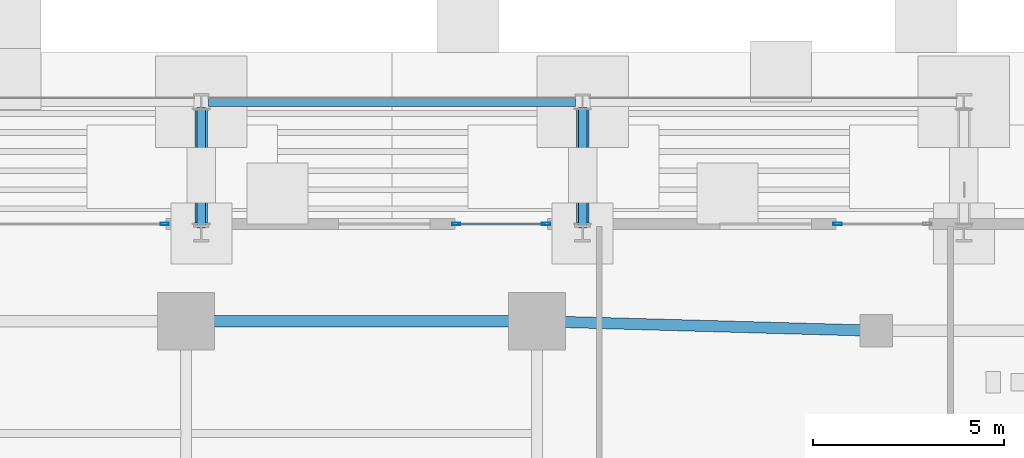
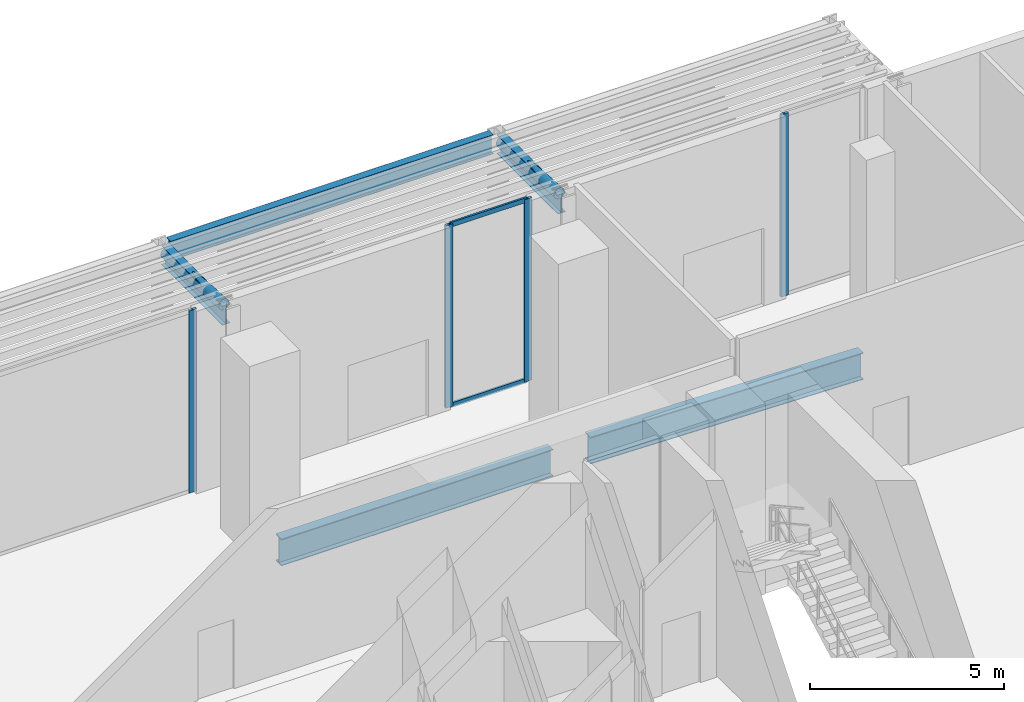
# One storey, part 20 of 39: 8 members, 5 beams, 3 elements without a shape of their own.
"""IFC4 building model written with IfcOpenShell, lengths in metres."""

from ifc_helpers import new_model, si_unit, direction, frame, origin, origin_2d, place, context, subcontext, project, spatial, hollow_rectangle, hollow_circle, i_section, extrude, material, layer, layer_set, material_profile, profile_set, type_object, element, aggregate, save


model = new_model("IFC4")

# Units and contexts
model_context = context("Model", 3, precision=1e-05, world=origin(), true_north=direction((0.0, 1.0)))
body_context = subcontext(model_context, "Body", "Model", "MODEL_VIEW")
ifc_project = project(units=[si_unit("LENGTHUNIT", "METRE"), si_unit("AREAUNIT", "SQUARE_METRE"), si_unit("VOLUMEUNIT", "CUBIC_METRE"), si_unit("PLANEANGLEUNIT", "RADIAN"), si_unit("MASSUNIT", "GRAM", prefix="KILO")], contexts=[model_context])

# Site, building, storey
site_placement = place(None, origin())
site = spatial("IfcSite", under=ifc_project, at=site_placement, CompositionType="ELEMENT")
building_placement = place(site_placement, origin())
building = spatial("IfcBuilding", under=site, at=building_placement, Name="Zuhayl Quay Hotel", CompositionType="ELEMENT")
storey_placement = place(building_placement, origin())
storey = spatial("IfcBuildingStorey", under=building, at=storey_placement, Name="L00", CompositionType="ELEMENT", Elevation=0.0)

# Beams
ifc_material_1 = material(Name="Steel ASTM A992 Grade 50", Category="steel")
ifc_material_profile_1 = material_profile(ifc_material_1, i_section(OverallWidth=0.22802734375, OverallDepth=0.60693359375, WebThickness=0.01123046875, FlangeThickness=0.017333984375, at=origin_2d()), Name="W24X76")
ifc_profile_set_1 = profile_set([ifc_material_profile_1], Name="Steel ASTM A992 Grade 50")
beam_type_1 = type_object("IfcBeamType", Name="BM_B3_W24X76", PredefinedType="BEAM", material=ifc_profile_set_1)
beam_1_placement = place(storey_placement, frame((5.18994140625, 28.199951171875, 5.300048828125), z_axis=(1.0, 0.0, 0.0), x_axis=(0.0, 1.0, 0.0)))
element("IfcBeam", 1, at=beam_1_placement, inside=storey, type_object=beam_type_1, Name="Waterfront Colonnade Canopy Girder 4", PredefinedType="BEAM", context=body_context, shape_type="SweptSolid", body=[
    extrude(i_section(OverallWidth=0.22802734375, OverallDepth=0.60693359375, WebThickness=0.01123046875, FlangeThickness=0.017333984375, at=origin_2d()), origin(), (0.0, 0.0, 1.0), 9.6201171875),
])
for number, where, z_axis, x_axis, name in (
    (2, (5.0, 24.89990234375, 5.300048828125), (0.0, 1.0, 0.0), (-1.0, 0.0, 0.0), "Waterfront Canopy Cantilever Tie 4"),
    (3, (15.0, 24.89990234375, 5.300048828125), (0.0, 1.0, 0.0), (-1.0, 0.0, 0.0), "Waterfront Canopy Cantilever Tie 5"),
):
    element("IfcBeam", number, at=place(storey_placement, frame(where, z_axis=z_axis, x_axis=x_axis)), inside=storey, type_object=beam_type_1, Name=name, PredefinedType="BEAM", context=body_context, shape_type="SweptSolid", body=[
        extrude(i_section(OverallWidth=0.22802734375, OverallDepth=0.60693359375, WebThickness=0.01123046875, FlangeThickness=0.017333984375, at=origin_2d()), origin(), (0.0, 0.0, 1.0), 3.150146484375),
    ])
ifc_material_profile_2 = material_profile(ifc_material_1, i_section(OverallWidth=0.2919921875, OverallDepth=0.845947265625, WebThickness=0.015380859375, FlangeThickness=0.0244140625, at=origin_2d()), Name="W33X141")
ifc_profile_set_2 = profile_set([ifc_material_profile_2], Name="Steel ASTM A992 Grade 50")
beam_type_2 = type_object("IfcBeamType", Name="BM_PG3_W33X141", PredefinedType="BEAM", material=ifc_profile_set_2)
beam_2_placement = place(storey_placement, frame((5.14990234375, 22.449951171875, -0.68310546875), z_axis=(1.0, 0.0, 0.0), x_axis=(0.0, 1.0, 0.0)))
element("IfcBeam", 4, at=beam_2_placement, inside=storey, type_object=beam_type_2, Name="L00 Floor Beam PG_N_L00_4", PredefinedType="BEAM", context=body_context, shape_type="SweptSolid", body=[
    extrude(i_section(OverallWidth=0.2919921875, OverallDepth=0.845947265625, WebThickness=0.015380859375, FlangeThickness=0.0244140625, at=origin_2d()), origin(), (0.0, 0.0, 1.0), 8.10009765625),
])
beam_3_placement = place(storey_placement, frame((14.349853515625, 22.4345703125, -0.68310546875), z_axis=(0.99960539529, -0.028090099801, 0.0), x_axis=(0.028090099801, 0.99960539529, 0.0)))
element("IfcBeam", 5, at=beam_3_placement, inside=storey, type_object=beam_type_2, Name="L00 Floor Beam PG_N_L00_5", PredefinedType="BEAM", context=body_context, shape_type="SweptSolid", body=[
    extrude(i_section(OverallWidth=0.2919921875, OverallDepth=0.845947265625, WebThickness=0.015380859375, FlangeThickness=0.0244140625, at=origin_2d()), origin(), (0.0, 0.0, 1.0), 8.013427734375),
])

# Members
ifc_material_2 = material(Name="Steel ASTM A500 Grade C", Category="steel")
ifc_material_profile_3 = material_profile(ifc_material_2, hollow_circle(Radius=0.161865234375, WallThickness=0.012451171875, at=origin_2d()), Name="CHS324X12")
ifc_profile_set_3 = profile_set([ifc_material_profile_3], Name="Steel ASTM A500 Grade C")
member_type_1 = type_object("IfcMemberType", Name="MB_CN_CHS324", PredefinedType="STRUT", material=ifc_profile_set_3)
for number, where, z_axis, x_axis, name in (
    (6, (5.0, 25.02001953125, 5.550048828125), (0.0, 0.997771438089, -0.066724488266), (-1.0, 0.0, 0.0), "Waterfront Canopy Diagonal Hanger Strut 4"),
    (7, (15.0, 25.02001953125, 5.550048828125), (0.0, 0.997771438089, -0.066724488266), (-1.0, 0.0, 0.0), "Waterfront Canopy Diagonal Hanger Strut 5"),
):
    element("IfcMember", number, at=place(storey_placement, frame(where, z_axis=z_axis, x_axis=x_axis)), inside=storey, type_object=member_type_1, Name=name, PredefinedType="STRUT", context=body_context, shape_type="SweptSolid", body=[
        extrude(hollow_circle(Radius=0.161865234375, WallThickness=0.012451171875, at=origin_2d()), origin(), (0.0, 0.0, 1.0), 2.99658203125),
    ])

# Curtain wall, member
ifc_material_3 = material(Name="Anodised Aluminium 6063-T6", Category="aluminium")
ifc_layer = layer(ifc_material_3, 0.199951171875, Name="Anodised Aluminium 6063-T6", Category="aluminium")
ifc_layer_set = layer_set([ifc_layer], Name="Anodised Aluminium 6063-T6")
curtain_wall_type = type_object("IfcCurtainWallType", Name="CW_SYS_POD", PredefinedType="USERDEFINED", material=ifc_layer_set)
curtain_wall_1_placement = place(storey_placement, origin())
curtain_wall_1 = element("IfcCurtainWall", 8, at=curtain_wall_1_placement, inside=storey, type_object=curtain_wall_type, Name="L00 Curtain Wall ENV_L00_E05_CW3", ObjectType="UNITISED CURTAIN WALL", PredefinedType="USERDEFINED")
ifc_material_4 = material(Name="Black-anodised aluminium 6063-T6", Category="aluminium")
ifc_material_profile_4 = material_profile(ifc_material_4, hollow_rectangle(XDim=0.074951171875, YDim=0.219970703125, WallThickness=0.00390625, at=origin_2d()), Name="ALU220X75")
ifc_profile_set_4 = profile_set([ifc_material_profile_4], Name="Black-anodised aluminium 6063-T6")
member_type_2 = type_object("IfcMemberType", Name="MB_CW_MUL_220", PredefinedType="MULLION", material=ifc_profile_set_4)
member_1_placement = place(storey_placement, frame((4.04248046875, 25.0, 0.0), z_axis=(0.0, 0.0, 1.0), x_axis=(0.0, 1.0, 0.0)))
member_1 = element("IfcMember", 9, at=member_1_placement, type_object=member_type_2, Name="CW-POD mullion 2", PredefinedType="MULLION", context=body_context, shape_type="SweptSolid", body=[
    extrude(hollow_rectangle(XDim=0.074951171875, YDim=0.219970703125, WallThickness=0.00390625, at=origin_2d()), origin(), (0.0, 0.0, 1.0), 5.75),
])
aggregate(curtain_wall_1, [member_1])

# Curtain wall, members
curtain_wall_2_placement = place(storey_placement, origin())
curtain_wall_2 = element("IfcCurtainWall", 10, at=curtain_wall_2_placement, inside=storey, type_object=curtain_wall_type, Name="L00 Curtain Wall ENV_L00_E05_CW4", ObjectType="UNITISED CURTAIN WALL", PredefinedType="USERDEFINED")
member_2_placement = place(storey_placement, frame((11.6875, 25.0, 0.0), z_axis=(0.0, 0.0, 1.0), x_axis=(0.0, 1.0, 0.0)))
member_2 = element("IfcMember", 11, at=member_2_placement, type_object=member_type_2, Name="CW-POD mullion 1", PredefinedType="MULLION", context=body_context, shape_type="SweptSolid", body=[
    extrude(hollow_rectangle(XDim=0.074951171875, YDim=0.219970703125, WallThickness=0.00390625, at=origin_2d()), origin(), (0.0, 0.0, 1.0), 5.75),
])
member_3_placement = place(storey_placement, frame((14.04248046875, 25.0, 0.0), z_axis=(0.0, 0.0, 1.0), x_axis=(0.0, 1.0, 0.0)))
member_3 = element("IfcMember", 12, at=member_3_placement, type_object=member_type_2, Name="CW-POD mullion 2", PredefinedType="MULLION", context=body_context, shape_type="SweptSolid", body=[
    extrude(hollow_rectangle(XDim=0.074951171875, YDim=0.219970703125, WallThickness=0.00390625, at=origin_2d()), origin(), (0.0, 0.0, 1.0), 5.75),
])

# Curtain wall, member
curtain_wall_3_placement = place(storey_placement, origin())
curtain_wall_3 = element("IfcCurtainWall", 13, at=curtain_wall_3_placement, inside=storey, type_object=curtain_wall_type, Name="L00 Curtain Wall ENV_L00_E05_CW5", ObjectType="UNITISED CURTAIN WALL", PredefinedType="USERDEFINED")
member_4_placement = place(storey_placement, frame((21.6875, 25.0, 0.0), z_axis=(0.0, 0.0, 1.0), x_axis=(0.0, 1.0, 0.0)))
member_4 = element("IfcMember", 14, at=member_4_placement, type_object=member_type_2, Name="CW-POD mullion 1", PredefinedType="MULLION", context=body_context, shape_type="SweptSolid", body=[
    extrude(hollow_rectangle(XDim=0.074951171875, YDim=0.219970703125, WallThickness=0.00390625, at=origin_2d()), origin(), (0.0, 0.0, 1.0), 5.75),
])
aggregate(curtain_wall_3, [member_4])

# Member
ifc_material_profile_5 = material_profile(ifc_material_4, hollow_rectangle(XDim=0.06005859375, YDim=0.14990234375, WallThickness=0.00341796875, at=origin_2d()), Name="ALU150X60")
ifc_profile_set_5 = profile_set([ifc_material_profile_5], Name="Black-anodised aluminium 6063-T6")
member_type_3 = type_object("IfcMemberType", Name="MB_CW_TRN_150", PredefinedType="USERDEFINED", material=ifc_profile_set_5)
member_5_placement = place(storey_placement, frame((11.72509765625, 25.0, 0.030029296875), z_axis=(1.0, 0.0, 0.0), x_axis=(0.0, 1.0, 0.0)))
member_5 = element("IfcMember", 15, at=member_5_placement, type_object=member_type_3, Name="CW-POD transom 1.1", ObjectType="TRANSOM", PredefinedType="USERDEFINED", context=body_context, shape_type="SweptSolid", body=[
    extrude(hollow_rectangle(XDim=0.06005859375, YDim=0.14990234375, WallThickness=0.00341796875, at=origin_2d()), origin(), (0.0, 0.0, 1.0), 2.27978515625),
])

member_6_placement = place(storey_placement, frame((11.72509765625, 25.0, 5.719970703125), z_axis=(1.0, 0.0, 0.0), x_axis=(0.0, 1.0, 0.0)))
member_6 = element("IfcMember", 16, at=member_6_placement, type_object=member_type_3, Name="CW-POD transom 1.2", ObjectType="TRANSOM", PredefinedType="USERDEFINED", context=body_context, shape_type="SweptSolid", body=[
    extrude(hollow_rectangle(XDim=0.06005859375, YDim=0.14990234375, WallThickness=0.00341796875, at=origin_2d()), origin(), (0.0, 0.0, 1.0), 2.27978515625),
])

aggregate(curtain_wall_2, [member_2, member_3, member_5, member_6])

save(model, "model.ifc")
